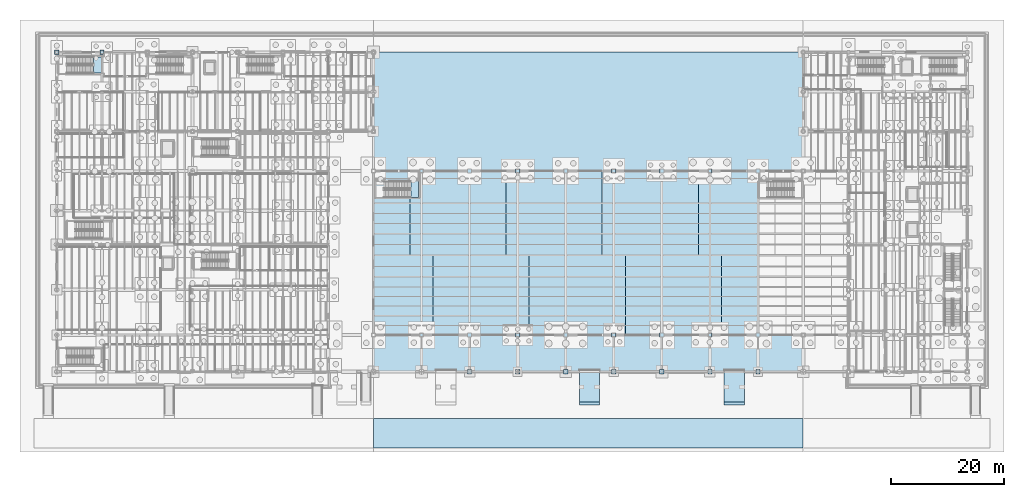
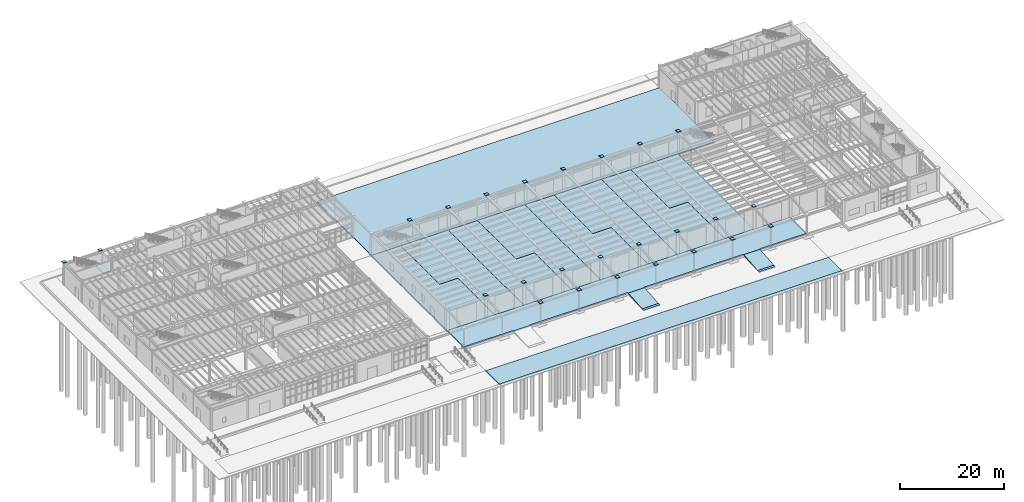
# One storey, part 50 of 86: 25 plates, 17 slabs, 2 elements without a shape of their own.
"""IFC4 building model written with IfcOpenShell, lengths in metres."""

from ifc_helpers import new_model, si_unit, direction, frame, origin, origin_2d, place, context, subcontext, project, spatial, polyline, rectangle, outline, extrude, material, layer, layer_set, material_profile, profile_set, type_object, element, aggregate, save


model = new_model("IFC4")

# Units and contexts
model_context = context("Model", 3, precision=1e-05, world=origin(), true_north=direction((0.0, 1.0)))
body_context = subcontext(model_context, "Body", "Model", "MODEL_VIEW")
ifc_project = project(units=[si_unit("LENGTHUNIT", "METRE"), si_unit("AREAUNIT", "SQUARE_METRE"), si_unit("VOLUMEUNIT", "CUBIC_METRE"), si_unit("PLANEANGLEUNIT", "RADIAN"), si_unit("MASSUNIT", "GRAM", prefix="KILO"), si_unit("THERMODYNAMICTEMPERATUREUNIT", "KELVIN"), si_unit("POWERUNIT", "WATT")], contexts=[model_context])

# Site, building, storey
site_placement = place(None, origin())
site = spatial("IfcSite", under=ifc_project, at=site_placement, CompositionType="ELEMENT")
building_placement = place(site_placement, origin())
building = spatial("IfcBuilding", under=site, at=building_placement, Name="Zhenchuan Central Fire Station", CompositionType="ELEMENT")
storey_placement = place(building_placement, frame((0.0, 0.0, 0.449951171875)))
storey = spatial("IfcBuildingStorey", under=building, at=storey_placement, Name="L01", CompositionType="ELEMENT", Elevation=0.449951171875)

# Plates
ifc_material_1 = material(Name="Steel Q355B", Category="steel")
ifc_material_profile_1 = material_profile(ifc_material_1, rectangle(XDim=0.760009765625, YDim=0.760009765625, at=origin_2d()), Name="PL 760x760x40")
ifc_profile_set_1 = profile_set([ifc_material_profile_1], Name="Steel Q355B")
plate_type_1 = type_object("IfcPlateType", Name="PL-BAS40", PredefinedType="SHEET", material=ifc_profile_set_1)
for number, where, z_axis, x_axis, name in (
    (1, (0.0, 56.5, 5.39599609375), (0.0, 0.0, 1.0), (1.0, 0.0, 0.0), "L01 Column 009 end cap plate B"),
    (2, (8.0, 56.5, 5.39599609375), (0.0, 0.0, 1.0), (1.0, 0.0, 0.0), "L01 Column 018 end cap plate B"),
    (3, (73.0, 0.0, 4.60595703125), (0.0, 0.0, 1.0), (1.0, 0.0, 0.0), "L01 Column 073 end cap plate B"),
    (4, (81.5, 0.0, 4.60595703125), (0.0, 0.0, 1.0), (1.0, 0.0, 0.0), "L01 Column 076 end cap plate B"),
    (5, (90.0, 0.0, 4.60595703125), (0.0, 0.0, 1.0), (1.0, 0.0, 0.0), "L01 Column 079 end cap plate B"),
    (6, (98.5, 0.0, 4.60595703125), (0.0, 0.0, 1.0), (1.0, 0.0, 0.0), "L01 Column 082 end cap plate B"),
    (7, (107.0, 0.0, 4.60595703125), (0.0, 0.0, 1.0), (1.0, 0.0, 0.0), "L01 Column 085 end cap plate B"),
    (8, (115.5, 0.0, 4.60595703125), (0.0, 0.0, 1.0), (1.0, 0.0, 0.0), "L01 Column 088 end cap plate B"),
    (9, (124.0, 0.0, 4.60595703125), (0.0, 0.0, 1.0), (1.0, 0.0, 0.0), "L01 Column 091 end cap plate B"),
):
    element("IfcPlate", number, at=place(storey_placement, frame(where, z_axis=z_axis, x_axis=x_axis)), inside=storey, type_object=plate_type_1, Name=name, PredefinedType="SHEET", context=body_context, shape_type="SweptSolid", body=[
        extrude(rectangle(XDim=0.760009765625, YDim=0.760009765625, at=origin_2d()), origin(), (0.0, 0.0, 1.0), 0.02001953125),
    ])
ifc_material_profile_2 = material_profile(ifc_material_1, rectangle(XDim=0.760009765625, YDim=0.760009765625, at=origin_2d()), Name="PL 760x760x40")
ifc_profile_set_2 = profile_set([ifc_material_profile_2], Name="Steel Q355B")
plate_type_2 = type_object("IfcPlateType", Name="PL-BAS40-INT", PredefinedType="SHEET", material=ifc_profile_set_2)
for number, where, z_axis, x_axis, name in (
    (10, (64.5, 6.5, 5.39599609375), (0.0, 0.0, 1.0), (1.0, 0.0, 0.0), "L01 Column 071 end cap plate B"),
    (11, (64.5, 35.5, 5.39599609375), (0.0, 0.0, 1.0), (1.0, 0.0, 0.0), "L01 Column 072 end cap plate B"),
    (12, (73.0, 6.5, 5.39599609375), (0.0, 0.0, 1.0), (1.0, 0.0, 0.0), "L01 Column 074 end cap plate B"),
    (13, (73.0, 35.5, 5.39599609375), (0.0, 0.0, 1.0), (1.0, 0.0, 0.0), "L01 Column 075 end cap plate B"),
    (14, (81.5, 6.5, 5.39599609375), (0.0, 0.0, 1.0), (1.0, 0.0, 0.0), "L01 Column 077 end cap plate B"),
    (15, (81.5, 35.5, 5.39599609375), (0.0, 0.0, 1.0), (1.0, 0.0, 0.0), "L01 Column 078 end cap plate B"),
    (16, (90.0, 6.5, 5.39599609375), (0.0, 0.0, 1.0), (1.0, 0.0, 0.0), "L01 Column 080 end cap plate B"),
    (17, (90.0, 35.5, 5.39599609375), (0.0, 0.0, 1.0), (1.0, 0.0, 0.0), "L01 Column 081 end cap plate B"),
    (18, (98.5, 6.5, 5.39599609375), (0.0, 0.0, 1.0), (1.0, 0.0, 0.0), "L01 Column 083 end cap plate B"),
    (19, (98.5, 35.5, 5.39599609375), (0.0, 0.0, 1.0), (1.0, 0.0, 0.0), "L01 Column 084 end cap plate B"),
    (20, (107.0, 6.5, 5.39599609375), (0.0, 0.0, 1.0), (1.0, 0.0, 0.0), "L01 Column 086 end cap plate B"),
    (21, (107.0, 35.5, 5.39599609375), (0.0, 0.0, 1.0), (1.0, 0.0, 0.0), "L01 Column 087 end cap plate B"),
    (22, (115.5, 6.5, 5.39599609375), (0.0, 0.0, 1.0), (1.0, 0.0, 0.0), "L01 Column 089 end cap plate B"),
    (23, (115.5, 35.5, 5.39599609375), (0.0, 0.0, 1.0), (1.0, 0.0, 0.0), "L01 Column 090 end cap plate B"),
    (24, (124.0, 6.5, 5.39599609375), (0.0, 0.0, 1.0), (1.0, 0.0, 0.0), "L01 Column 092 end cap plate B"),
    (25, (124.0, 35.5, 5.39599609375), (0.0, 0.0, 1.0), (1.0, 0.0, 0.0), "L01 Column 093 end cap plate B"),
):
    element("IfcPlate", number, at=place(storey_placement, frame(where, z_axis=z_axis, x_axis=x_axis)), inside=storey, type_object=plate_type_2, Name=name, PredefinedType="SHEET", context=body_context, shape_type="SweptSolid", body=[
        extrude(rectangle(XDim=0.760009765625, YDim=0.760009765625, at=origin_2d()), origin(), (0.0, 0.0, 1.0), 0.02001953125),
    ])

# Slabs
ifc_material_2 = material(Name="Concrete C35/45", Category="concrete")
ifc_layer_1 = layer(ifc_material_2, 0.25, Name="Concrete C35/45", Category="concrete")
ifc_layer_set_1 = layer_set([ifc_layer_1], Name="Concrete C35/45")
slab_type_1 = type_object("IfcSlabType", Name="SL-BASE250-EXT", PredefinedType="BASESLAB", material=ifc_layer_set_1)
slab_1_placement = place(storey_placement, frame((0.0, 0.0, -0.699951171875)))
element("IfcSlab", 26, at=slab_1_placement, inside=storey, type_object=slab_type_1, Name="South Zhenchuan Boulevard Turnout Apron Central", PredefinedType="BASESLAB", context=body_context, shape_type="SweptSolid", body=[
    extrude(outline(polyline([(56.02490234375, -13.5), (131.97509765625, -13.5), (131.97509765625, -8.300048828125), (56.02490234375, -8.300048828125), (56.02490234375, -13.5)])), origin(), (0.0, 0.0, 1.0), 0.25),
])
slab_2_placement = place(storey_placement, frame((0.0, 0.0, -0.25)))
element("IfcSlab", 27, at=slab_2_placement, inside=storey, type_object=slab_type_1, Name="Appliance Forecourt Plinth Apron Central", PredefinedType="BASESLAB", context=body_context, shape_type="SweptSolid", body=[
    extrude(outline(polyline([(56.02490234375, 0.1640625), (66.99609375, 0.1640625), (66.99609375, 0.0), (70.60400390625, 0.0), (70.60400390625, 0.1640625), (92.39599609375, 0.1640625), (92.39599609375, 0.0), (96.00390625, 0.0), (96.00390625, 0.1640625), (117.99609375, 0.1640625), (117.99609375, 0.0), (121.60400390625, 0.0), (121.60400390625, 0.1640625), (131.97509765625, 0.1640625), (131.97509765625, 6.49609375), (56.02490234375, 6.49609375), (56.02490234375, 0.1640625)])), origin(), (0.0, 0.0, 1.0), 0.25),
])
slab_3_placement = place(storey_placement, frame((0.0, 0.0, -0.25)))
element("IfcSlab", 28, at=slab_3_placement, inside=storey, type_object=slab_type_1, Name="Rear Turnaround Yard and Loop Parking Court", PredefinedType="BASESLAB", context=body_context, shape_type="SweptSolid", body=[
    extrude(outline(polyline([(56.02490234375, 35.50390625), (131.97509765625, 35.50390625), (131.97509765625, 56.5), (56.02490234375, 56.5), (56.02490234375, 35.50390625)])), origin(), (0.0, 0.0, 1.0), 0.25),
])
ifc_layer_2 = layer(ifc_material_2, 0.320068359375, Name="Concrete C35/45", Category="concrete")
ifc_layer_set_2 = layer_set([ifc_layer_2], Name="Concrete C35/45")
slab_type_2 = type_object("IfcSlabType", Name="SL-BASE320", PredefinedType="BASESLAB", material=ifc_layer_set_2)
slab_4_placement = place(storey_placement, frame((0.0, 0.0, -0.320068359375)))
element("IfcSlab", 29, at=slab_4_placement, inside=storey, type_object=slab_type_2, Name="L01 Appliance Bays Pair 1 Panel A", PredefinedType="BASESLAB", context=body_context, shape_type="SweptSolid", body=[
    extrude(outline(polyline([(56.02490234375, 6.5), (66.5458984375, 6.5), (66.5458984375, 20.596923828125), (62.471923828125, 20.596923828125), (62.471923828125, 35.5), (56.02490234375, 35.5), (56.02490234375, 6.5)])), origin(), (0.0, 0.0, 1.0), 0.320068359375),
])
slab_5_placement = place(storey_placement, frame((0.0, 0.0, -0.320068359375)))
element("IfcSlab", 30, at=slab_5_placement, inside=storey, type_object=slab_type_2, Name="L01 Appliance Bays Pair 1 Panel B", PredefinedType="BASESLAB", context=body_context, shape_type="SweptSolid", body=[
    extrude(outline(polyline([(66.552001953125, 6.5), (73.0, 6.5), (73.0, 35.5), (62.47802734375, 35.5), (62.47802734375, 20.60302734375), (66.552001953125, 20.60302734375), (66.552001953125, 6.5)])), origin(), (0.0, 0.0, 1.0), 0.320068359375),
])
slab_6_placement = place(storey_placement, frame((0.0, 0.0, -0.320068359375)))
element("IfcSlab", 31, at=slab_6_placement, inside=storey, type_object=slab_type_2, Name="L01 Appliance Bays Pair 2 Panel A", PredefinedType="BASESLAB", context=body_context, shape_type="SweptSolid", body=[
    extrude(outline(polyline([(73.0, 6.5), (83.537109375, 6.5), (83.537109375, 20.596923828125), (79.45703125, 20.596923828125), (79.45703125, 35.5), (73.0, 35.5), (73.0, 6.5)])), origin(), (0.0, 0.0, 1.0), 0.320068359375),
])
slab_7_placement = place(storey_placement, frame((0.0, 0.0, -0.320068359375)))
element("IfcSlab", 32, at=slab_7_placement, inside=storey, type_object=slab_type_2, Name="L01 Appliance Bays Pair 2 Panel B", PredefinedType="BASESLAB", context=body_context, shape_type="SweptSolid", body=[
    extrude(outline(polyline([(83.54296875, 6.5), (90.0, 6.5), (90.0, 35.5), (79.462890625, 35.5), (79.462890625, 20.60302734375), (83.54296875, 20.60302734375), (83.54296875, 6.5)])), origin(), (0.0, 0.0, 1.0), 0.320068359375),
])
slab_8_placement = place(storey_placement, frame((0.0, 0.0, -0.320068359375)))
element("IfcSlab", 33, at=slab_8_placement, inside=storey, type_object=slab_type_2, Name="L01 Appliance Bays Pair 3 Panel A", PredefinedType="BASESLAB", context=body_context, shape_type="SweptSolid", body=[
    extrude(outline(polyline([(90.0, 6.5), (100.537109375, 6.5), (100.537109375, 20.596923828125), (96.45703125, 20.596923828125), (96.45703125, 35.5), (90.0, 35.5), (90.0, 6.5)])), origin(), (0.0, 0.0, 1.0), 0.320068359375),
])
slab_9_placement = place(storey_placement, frame((0.0, 0.0, -0.320068359375)))
element("IfcSlab", 34, at=slab_9_placement, inside=storey, type_object=slab_type_2, Name="L01 Appliance Bays Pair 3 Panel B", PredefinedType="BASESLAB", context=body_context, shape_type="SweptSolid", body=[
    extrude(outline(polyline([(100.54296875, 6.5), (107.0, 6.5), (107.0, 35.5), (96.462890625, 35.5), (96.462890625, 20.60302734375), (100.54296875, 20.60302734375), (100.54296875, 6.5)])), origin(), (0.0, 0.0, 1.0), 0.320068359375),
])
slab_10_placement = place(storey_placement, frame((0.0, 0.0, -0.320068359375)))
element("IfcSlab", 35, at=slab_10_placement, inside=storey, type_object=slab_type_2, Name="L01 Appliance Bays Pair 4 Panel A", PredefinedType="BASESLAB", context=body_context, shape_type="SweptSolid", body=[
    extrude(outline(polyline([(107.0, 6.5), (117.537109375, 6.5), (117.537109375, 20.596923828125), (113.45703125, 20.596923828125), (113.45703125, 35.5), (107.0, 35.5), (107.0, 6.5)])), origin(), (0.0, 0.0, 1.0), 0.320068359375),
])
slab_11_placement = place(storey_placement, frame((0.0, 0.0, -0.320068359375)))
element("IfcSlab", 36, at=slab_11_placement, inside=storey, type_object=slab_type_2, Name="L01 Appliance Bays Pair 4 Panel B", PredefinedType="BASESLAB", context=body_context, shape_type="SweptSolid", body=[
    extrude(outline(polyline([(117.54296875, 6.5), (124.0, 6.5), (124.0, 35.5), (113.462890625, 35.5), (113.462890625, 20.60302734375), (117.54296875, 20.60302734375), (117.54296875, 6.5)])), origin(), (0.0, 0.0, 1.0), 0.320068359375),
])

# Stair, slab
stair_type = type_object("IfcStairType", Name="ST-CORE-L01", PredefinedType="HALF_TURN_STAIR", material=ifc_material_2)
stair_1_placement = place(storey_placement, origin())
stair_1 = element("IfcStair", 37, at=stair_1_placement, inside=storey, type_object=stair_type, Name="L01 Crew West Turnout Stair", PredefinedType="HALF_TURN_STAIR")
ifc_layer_3 = layer(ifc_material_2, 0.159912109375, Name="Concrete C35/45", Category="concrete")
ifc_layer_set_3 = layer_set([ifc_layer_3], Name="Concrete C35/45")
slab_type_3 = type_object("IfcSlabType", Name="SL-LND160", PredefinedType="LANDING", material=ifc_layer_set_3)
slab_12_placement = place(storey_placement, frame((0.0, 0.0, 2.5)))
slab_12 = element("IfcSlab", 38, at=slab_12_placement, type_object=slab_type_3, Name="ST-05 landing 1", PredefinedType="LANDING", context=body_context, shape_type="SweptSolid", body=[
    extrude(outline(polyline([(6.510009765625, 52.800048828125), (7.909912109375, 52.800048828125), (7.909912109375, 55.699951171875), (6.510009765625, 55.699951171875), (6.510009765625, 52.800048828125)])), origin(), (0.0, 0.0, 1.0), 0.199951171875),
])
aggregate(stair_1, [slab_12])

stair_2_placement = place(storey_placement, origin())
stair_2 = element("IfcStair", 39, at=stair_2_placement, inside=storey, type_object=stair_type, Name="L01 Appliance West Turnout Stair", PredefinedType="HALF_TURN_STAIR")
slab_13_placement = place(storey_placement, frame((0.0, 0.0, 2.5)))
slab_13 = element("IfcSlab", 40, at=slab_13_placement, type_object=slab_type_3, Name="ST-08 landing 1", PredefinedType="LANDING", context=body_context, shape_type="SweptSolid", body=[
    extrude(outline(polyline([(62.610107421875, 30.800048828125), (64.010009765625, 30.800048828125), (64.010009765625, 33.699951171875), (62.610107421875, 33.699951171875), (62.610107421875, 30.800048828125)])), origin(), (0.0, 0.0, 1.0), 0.199951171875),
])
aggregate(stair_2, [slab_13])

# Slabs
ifc_layer_4 = layer(ifc_material_2, 0.2099609375, Name="Concrete C35/45", Category="concrete")
ifc_layer_set_4 = layer_set([ifc_layer_4], Name="Concrete C35/45")
slab_type_4 = type_object("IfcSlabType", Name="SL-LND210", PredefinedType="LANDING", material=ifc_layer_set_4)
slab_14_placement = place(storey_placement, frame((0.0, 0.0, -0.7099609375)))
element("IfcSlab", 41, at=slab_14_placement, inside=storey, type_object=slab_type_4, Name="Appliance Apron Vehicle Ramp Central Lower Landing", PredefinedType="LANDING", context=body_context, shape_type="SweptSolid", body=[
    extrude(outline(polyline([(92.39990234375, -5.89990234375), (96.0, -5.89990234375), (96.0, -5.382080078125), (92.39990234375, -5.382080078125), (92.39990234375, -5.89990234375)])), origin(), (0.0, 0.0, 1.0), 0.260009765625),
])
slab_15_placement = place(storey_placement, frame((0.0, 0.0, -0.7099609375)))
element("IfcSlab", 42, at=slab_15_placement, inside=storey, type_object=slab_type_4, Name="Appliance Apron Vehicle Ramp East Lower Landing", PredefinedType="LANDING", context=body_context, shape_type="SweptSolid", body=[
    extrude(outline(polyline([(118.0, -5.89990234375), (121.60009765625, -5.89990234375), (121.60009765625, -5.382080078125), (118.0, -5.382080078125), (118.0, -5.89990234375)])), origin(), (0.0, 0.0, 1.0), 0.260009765625),
])
ifc_layer_5 = layer(ifc_material_2, 0.25, Name="Concrete C35/45", Category="concrete")
ifc_layer_set_5 = layer_set([ifc_layer_5], Name="Concrete C35/45")
slab_type_5 = type_object("IfcSlabType", Name="SL-RMP250", PredefinedType="BASESLAB", material=ifc_layer_set_5)
for number, where, z_axis, x_axis, name in (
    (43, (92.39990234375, -5.3779296875, -0.447998046875), (0.0, -0.083008043113, 0.996548877265), (1.0, 0.0, 0.0), "Appliance Apron Vehicle Ramp Central Structural Ramp Slab"),
    (44, (118.0, -5.3779296875, -0.447998046875), (0.0, -0.083008043113, 0.996548877265), (1.0, 0.0, 0.0), "Appliance Apron Vehicle Ramp East Structural Ramp Slab"),
):
    element("IfcSlab", number, at=place(storey_placement, frame(where, z_axis=z_axis, x_axis=x_axis)), inside=storey, type_object=slab_type_5, Name=name, PredefinedType="BASESLAB", context=body_context, shape_type="SweptSolid", body=[
        extrude(outline(polyline([(0.0, 0.0), (3.60009765625, 0.0), (3.60009765625, 5.397043829410383), (0.0, 5.397043829410383), (0.0, 0.0)])), origin(), (0.0, 0.0, -1.0), 0.25),
    ])

save(model, "model.ifc")
